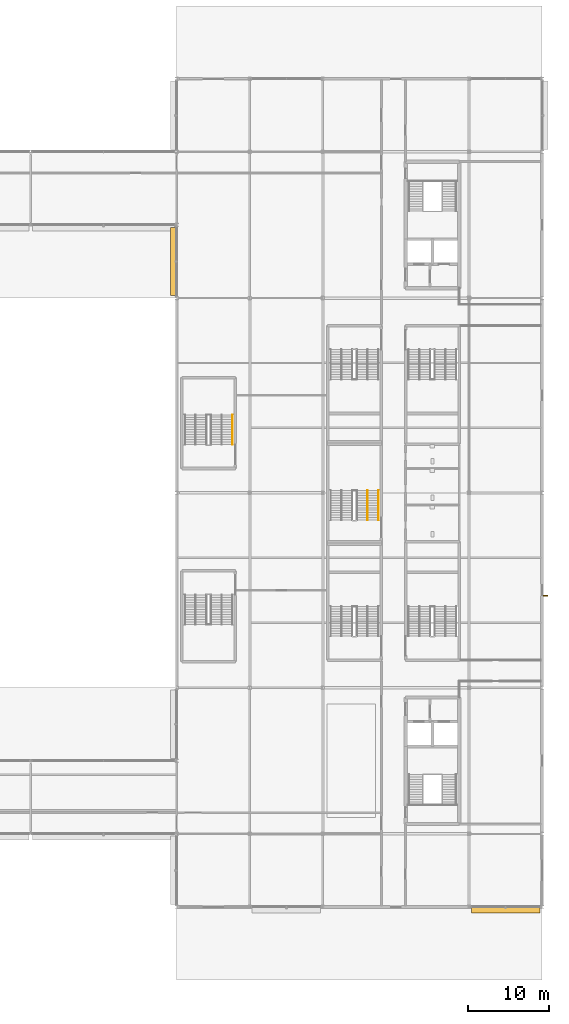
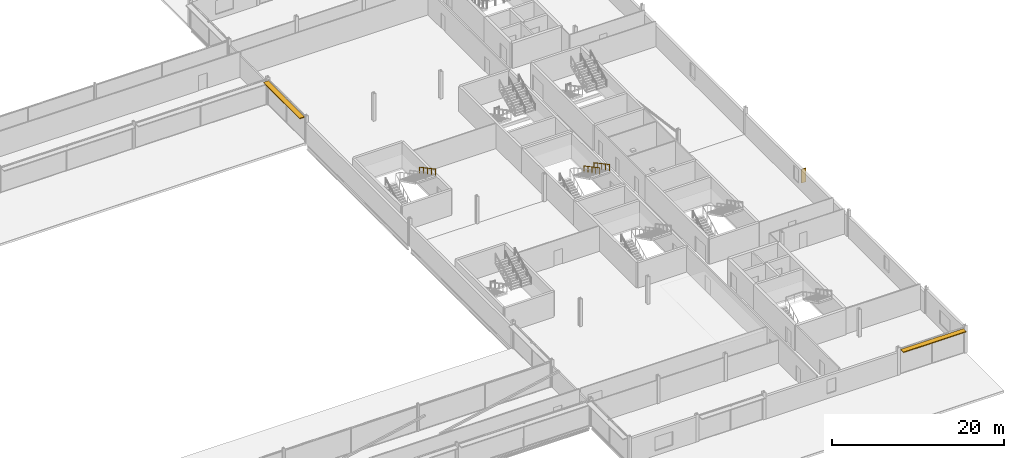
# One storey, part 102 of 105: 3 railings, 3 shading devices.
"""IFC4 building model written with IfcOpenShell, lengths in metres."""

from ifc_helpers import new_model, si_unit, direction, frame, origin, origin_2d, place, context, subcontext, project, spatial, rectangle, circle, extrude, material, type_object, element, save


model = new_model("IFC4")

# Units and contexts
model_context = context("Model", 3, precision=1e-05, world=origin(), true_north=direction((0.0, 1.0)))
body_context = subcontext(model_context, "Body", "Model", "MODEL_VIEW")
ifc_project = project(units=[si_unit("LENGTHUNIT", "METRE"), si_unit("AREAUNIT", "SQUARE_METRE"), si_unit("VOLUMEUNIT", "CUBIC_METRE"), si_unit("PLANEANGLEUNIT", "RADIAN"), si_unit("MASSUNIT", "GRAM", prefix="KILO")], contexts=[model_context])

# Site, building, storey
site_placement = place(None, origin())
site = spatial("IfcSite", under=ifc_project, at=site_placement, CompositionType="ELEMENT")
building_placement = place(site_placement, origin())
building = spatial("IfcBuilding", under=site, at=building_placement, Name="Kisiwana Market Hall", CompositionType="ELEMENT")
storey_placement = place(building_placement, frame((0.0, 0.0, 21.60009765625)))
storey = spatial("IfcBuildingStorey", under=building, at=storey_placement, Name="L04", CompositionType="ELEMENT", Elevation=21.60009765625)

# Railings
ifc_material_1 = material(Name="Steel S275", Category="steel")
railing_type = type_object("IfcRailingType", Name="RL-HAND-900", PredefinedType="HANDRAIL", material=ifc_material_1)
for number, where, name in (
    (1, (159.860107421875, 69.6201171875, 1.949951171875), "Stair ST-E10-L04 flight 2 handrail (RL-835)"),
    (2, (177.830078125, 60.300048828125, 1.949951171875), "Stair ST-E5-L04 flight 2 handrail (RL-847)"),
    (3, (176.510009765625, 60.300048828125, 1.949951171875), "Stair ST-E5-L04 flight 2 intermediate handrail (RL-849)"),
):
    element("IfcRailing", number, at=place(storey_placement, frame(where)), inside=storey, type_object=railing_type, Name=name, PredefinedType="HANDRAIL", context=body_context, shape_type="SweptSolid", body=[
        extrude(circle(Radius=0.02392578125, at=origin_2d()), frame((0.0, 0.0, 0.8759765625), z_axis=(0.0, -0.882566327451, 0.470187917379), x_axis=(1.0, 0.0, 0.0)), (0.0, 0.0, 1.0), 4.147216796875),
        extrude(circle(Radius=0.02099609375, at=origin_2d()), origin(), (0.0, 0.0, 1.0), 0.851806640625),
        extrude(circle(Radius=0.02099609375, at=origin_2d()), frame((0.0, -0.9150390625, 0.487548828125)), (0.0, 0.0, 1.0), 0.851806640625),
        extrude(circle(Radius=0.02099609375, at=origin_2d()), frame((0.0, -1.830078125, 0.97509765625)), (0.0, 0.0, 1.0), 0.851806640625),
        extrude(circle(Radius=0.02099609375, at=origin_2d()), frame((0.0, -2.7451171875, 1.46240234375)), (0.0, 0.0, 1.0), 0.851806640625),
        extrude(circle(Radius=0.02099609375, at=origin_2d()), frame((0.0, -3.66015625, 1.949951171875)), (0.0, 0.0, 1.0), 0.851806640625),
    ])

# Shading devices
ifc_material_2 = material(Name="Aluminium alloy 6063-T6", Category="aluminium")
shading_device_type_1 = type_object("IfcShadingDeviceType", Name="SHD-JALOUSIE-H", PredefinedType="JALOUSIE", material=ifc_material_2)
shading_device_1_placement = place(storey_placement, frame((193.505615234375, 8.580078125, 3.40478515625), z_axis=(0.0, 0.0, 1.0), x_axis=(1.0, 0.0, 0.0)))
element("IfcShadingDevice", 4, at=shading_device_1_placement, inside=storey, type_object=shading_device_type_1, Name="Aluminium brise-soleil louvre SHD-073 SD-073", PredefinedType="JALOUSIE", context=body_context, shape_type="SweptSolid", body=[
    extrude(rectangle(XDim=8.416259765625, YDim=0.64990234375, at=origin_2d()), origin(), (0.0, 0.0, 1.0), 0.1201171875),
])
shading_device_2_placement = place(storey_placement, frame((152.580078125, 88.5, 3.40478515625), z_axis=(0.0, 0.0, 1.0), x_axis=(0.0, 1.0, 0.0)))
element("IfcShadingDevice", 5, at=shading_device_2_placement, inside=storey, type_object=shading_device_type_1, Name="Aluminium brise-soleil louvre SHD-095 SD-095", PredefinedType="JALOUSIE", context=body_context, shape_type="SweptSolid", body=[
    extrude(rectangle(XDim=8.431884765625, YDim=0.64990234375, at=origin_2d()), origin(), (0.0, 0.0, 1.0), 0.1201171875),
])
ifc_material_3 = material(Name="Aluminium alloy 6063-T6", Category="aluminium")
shading_device_type_2 = type_object("IfcShadingDeviceType", Name="SHD-SHUTTER-V", PredefinedType="SHUTTER", material=ifc_material_3)
shading_device_3_placement = place(storey_placement, frame((198.445068359375, 47.320068359375, 0.69970703125), z_axis=(0.0, 0.0, 1.0), x_axis=(0.0, 1.0, 0.0)))
element("IfcShadingDevice", 6, at=shading_device_3_placement, inside=storey, type_object=shading_device_type_2, Name="Vertical solar fin SHD-097 SD-097", PredefinedType="SHUTTER", context=body_context, shape_type="SweptSolid", body=[
    extrude(rectangle(XDim=0.1201171875, YDim=0.550048828125, at=origin_2d()), origin(), (0.0, 0.0, 1.0), 1.949951171875),
])

save(model, "model.ifc")
